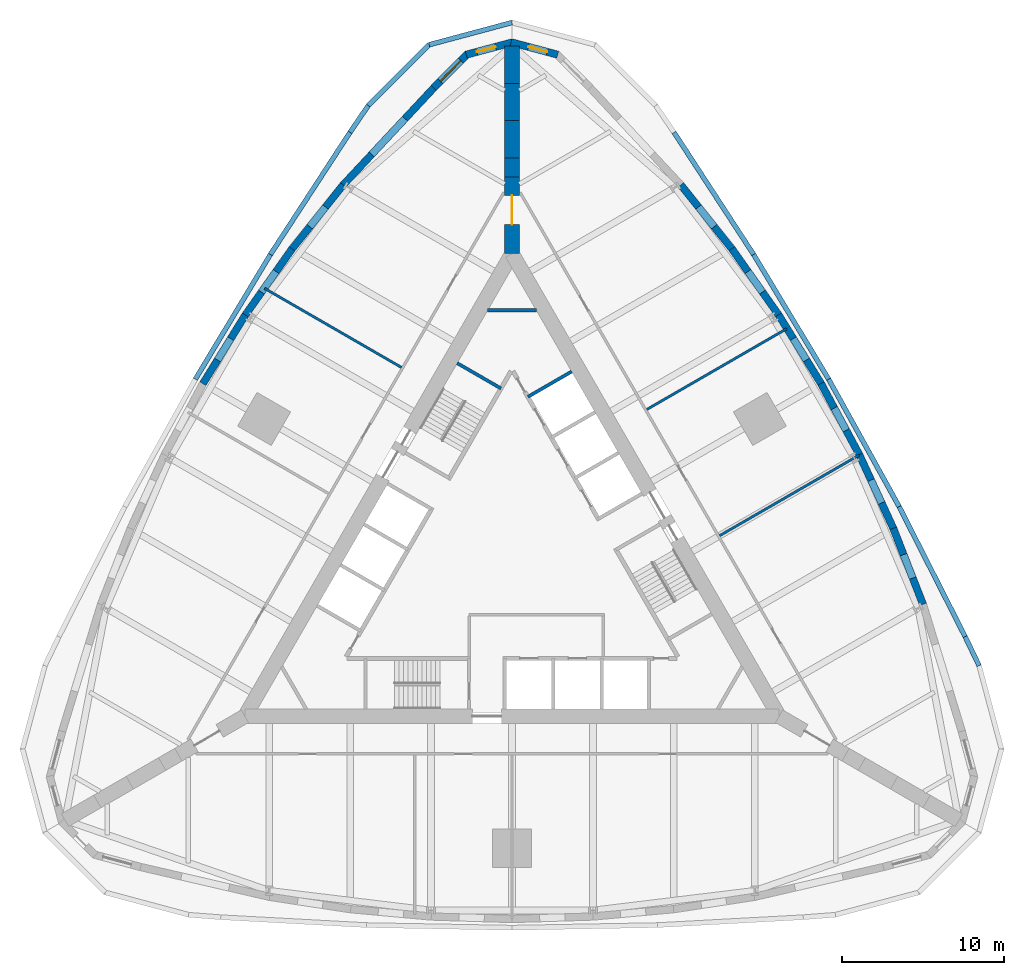
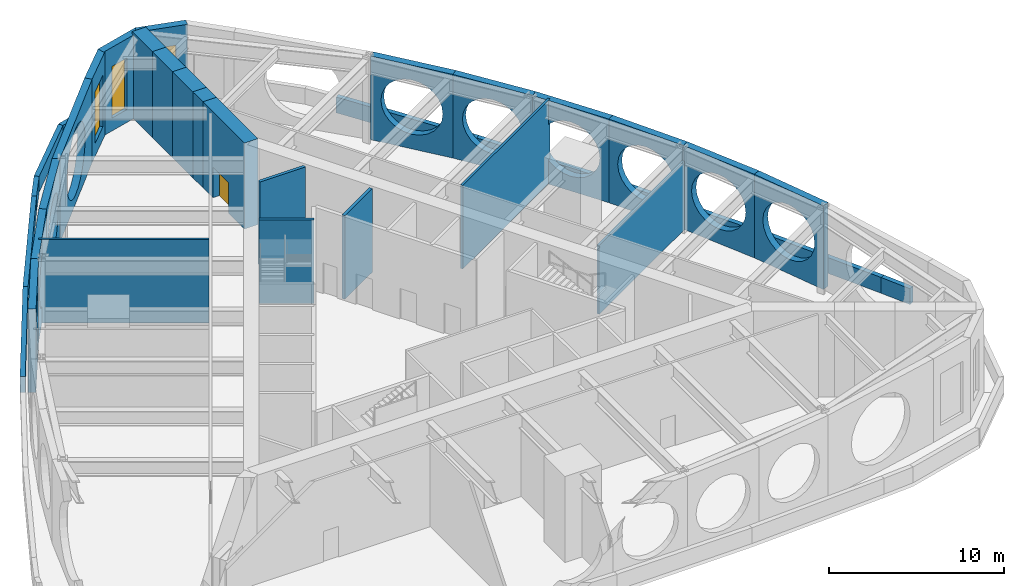
# One storey, part 6 of 8: 34 walls, 3 windows, 1 door, 4 openings.
"""IFC4 building model written with IfcOpenShell, lengths in metres."""

from ifc_helpers import new_model, si_unit, direction, frame, frame_2d, origin, place, context, subcontext, project, spatial, polyline, rectangle, outline, extrude, material, layer, layer_set, type_object, element, fill, save


model = new_model("IFC4")

# Units and contexts
model_context = context("Model", 3, precision=1e-05, world=origin(), true_north=direction((0.0, 1.0)))
body_context = subcontext(model_context, "Body", "Model", "MODEL_VIEW")
ifc_project = project(units=[si_unit("LENGTHUNIT", "METRE"), si_unit("AREAUNIT", "SQUARE_METRE"), si_unit("VOLUMEUNIT", "CUBIC_METRE"), si_unit("PLANEANGLEUNIT", "RADIAN"), si_unit("MASSUNIT", "GRAM", prefix="KILO")], contexts=[model_context])

# Site, building, storey
site_placement = place(None, origin())
site = spatial("IfcSite", under=ifc_project, at=site_placement, CompositionType="ELEMENT")
building_placement = place(site_placement, origin())
building = spatial("IfcBuilding", under=site, at=building_placement, Name="Trikona Tower", CompositionType="ELEMENT")
storey_placement = place(building_placement, frame((0.0, 0.0, 22.5)))
storey = spatial("IfcBuildingStorey", under=building, at=storey_placement, Name="L04", CompositionType="ELEMENT", Elevation=22.5)

# Wall, opening, window
ifc_material_1 = material(Name="Brick-faced precast concrete", Category="masonry")
ifc_layer_1 = layer(ifc_material_1, 0.449951171875)
ifc_layer_set_1 = layer_set([ifc_layer_1], Name="Brick-faced corner wall 450")
wall_type_1 = type_object("IfcWallType", Name="Brick-faced corner wall 450", PredefinedType="SOLIDWALL", material=ifc_layer_set_1)
wall_1_placement = place(storey_placement, frame((2.82861328125, 31.3408203125, 0.0), z_axis=(0.0, 0.0, 1.0), x_axis=(-0.965930548995, 0.258801419081, 0.0)))
wall_1 = element("IfcWall", 1, at=wall_1_placement, inside=storey, type_object=wall_type_1, Name="External wall L04-21", PredefinedType="SOLIDWALL", context=body_context, shape_type="SweptSolid", body=[
    extrude(outline(polyline([(2.988525390625, 0.22509765625), (2.92919921875, 0.22509765625), (2.4375, 0.09326171875), (2.40234375, 0.22509765625), (0.0, 0.22509765625), (0.0, -0.22509765625), (2.988525390625, -0.22509765625), (2.988525390625, 0.22509765625)])), origin(), (0.0, 0.0, 1.0), 5.8349609375),
])
opening_1_placement = place(wall_1_placement, frame((0.676025390625, 0.0, 0.89990234375)))
opening_1 = element("IfcOpeningElement", 2, at=opening_1_placement, cuts=wall_1, Name="Opening W1236", PredefinedType="OPENING", context=body_context, shape_type="SweptSolid", body=[
    extrude(rectangle(XDim=1.199951171875, YDim=3.60009765625, at=frame_2d((0.60009765625, 1.800048828125))), frame((0.0, 0.23486328125, 0.0), z_axis=(0.0, -1.0, 0.0), x_axis=(1.0, 0.0, 0.0)), (0.0, 0.0, 1.0), 0.469970703125),
])
ifc_material_2 = material(Name="Aluminium-framed double glazing", Category="aluminium")
window_type_1 = type_object("IfcWindowType", Name="Window 1200x3600", PartitioningType="SINGLE_PANEL", PredefinedType="WINDOW", material=ifc_material_2)
window_1_placement = place(opening_1_placement, origin())
window_1 = element("IfcWindow", 3, at=window_1_placement, inside=storey, type_object=window_type_1, Name="Window L04-CWP", OverallHeight=3.60009765625, OverallWidth=1.199951171875, PartitioningType="SINGLE_PANEL", PredefinedType="WINDOW", context=body_context, shape_type="SweptSolid", body=[
    extrude(rectangle(XDim=1.199951171875, YDim=3.60009765625, at=frame_2d((0.60009765625, 1.800048828125))), frame((0.0, 0.030029296875, 0.0), z_axis=(0.0, -1.0, 0.0), x_axis=(1.0, 0.0, 0.0)), (0.0, 0.0, 1.0), 0.06005859375),
])
fill(opening_1, window_1)

wall_2_placement = place(storey_placement, frame((0.05810546875, 32.1142578125, 0.0), z_axis=(0.0, 0.0, 1.0), x_axis=(-0.965930548995, -0.258801419081, 0.0)))
wall_2 = element("IfcWall", 4, at=wall_2_placement, inside=storey, type_object=wall_type_1, Name="External wall L04-22", PredefinedType="SOLIDWALL", context=body_context, shape_type="SweptSolid", body=[
    extrude(outline(polyline([(2.988525390625, 0.22509765625), (0.58642578125, 0.22509765625), (0.551025390625, 0.09326171875), (0.059326171875, 0.22509765625), (0.0, 0.22509765625), (0.0, -0.22509765625), (2.988525390625, -0.22509765625), (2.988525390625, 0.22509765625)])), origin(), (0.0, 0.0, 1.0), 5.8349609375),
])
opening_2_placement = place(wall_2_placement, frame((1.112548828125, 0.0, 0.89990234375)))
opening_2 = element("IfcOpeningElement", 5, at=opening_2_placement, cuts=wall_2, Name="Opening W1236", PredefinedType="OPENING", context=body_context, shape_type="SweptSolid", body=[
    extrude(rectangle(XDim=1.199951171875, YDim=3.60009765625, at=frame_2d((0.60009765625, 1.800048828125))), frame((0.0, 0.23486328125, 0.0), z_axis=(0.0, -1.0, 0.0), x_axis=(1.0, 0.0, 0.0)), (0.0, 0.0, 1.0), 0.469970703125),
])
window_2_placement = place(opening_2_placement, origin())
window_2 = element("IfcWindow", 6, at=window_2_placement, inside=storey, type_object=window_type_1, Name="Window L04-WTR", OverallHeight=3.60009765625, OverallWidth=1.199951171875, PartitioningType="SINGLE_PANEL", PredefinedType="WINDOW", context=body_context, shape_type="SweptSolid", body=[
    extrude(rectangle(XDim=1.199951171875, YDim=3.60009765625, at=frame_2d((0.60009765625, 1.800048828125))), frame((0.0, 0.030029296875, 0.0), z_axis=(0.0, -1.0, 0.0), x_axis=(1.0, 0.0, 0.0)), (0.0, 0.0, 1.0), 0.06005859375),
])
fill(opening_2, window_2)

wall_3_placement = place(storey_placement, frame((-2.727783203125, 31.39892578125, 0.0), z_axis=(0.0, 0.0, 1.0), x_axis=(-0.707106781187, -0.707106781187, 0.0)))
wall_3 = element("IfcWall", 7, at=wall_3_placement, inside=storey, type_object=wall_type_1, Name="External wall L04-23", PredefinedType="SOLIDWALL", context=body_context, shape_type="SweptSolid", body=[
    extrude(rectangle(XDim=2.98828125, YDim=0.449951171875, at=frame_2d((1.494140625, 0.0))), origin(), (0.0, 0.0, 1.0), 5.8349609375),
])
opening_3_placement = place(wall_3_placement, frame((0.59423828125, 0.0, 0.89990234375)))
opening_3 = element("IfcOpeningElement", 8, at=opening_3_placement, cuts=wall_3, Name="Opening W1836", PredefinedType="OPENING", context=body_context, shape_type="SweptSolid", body=[
    extrude(rectangle(XDim=1.800048828125, YDim=3.60009765625, at=frame_2d((0.89990234375, 1.800048828125))), frame((0.0, 0.23486328125, 0.0), z_axis=(0.0, -1.0, 0.0), x_axis=(1.0, 0.0, 0.0)), (0.0, 0.0, 1.0), 0.469970703125),
])
ifc_material_3 = material(Name="Aluminium-framed double glazing", Category="aluminium")
window_type_2 = type_object("IfcWindowType", Name="Window 1800x3600", PartitioningType="SINGLE_PANEL", PredefinedType="WINDOW", material=ifc_material_3)
window_3_placement = place(opening_3_placement, origin())
window_3 = element("IfcWindow", 9, at=window_3_placement, inside=storey, type_object=window_type_2, Name="Window L04-WTR", OverallHeight=3.60009765625, OverallWidth=1.800048828125, PartitioningType="SINGLE_PANEL", PredefinedType="WINDOW", context=body_context, shape_type="SweptSolid", body=[
    extrude(rectangle(XDim=1.800048828125, YDim=3.60009765625, at=frame_2d((0.89990234375, 1.800048828125))), frame((0.0, 0.030029296875, 0.0), z_axis=(0.0, -1.0, 0.0), x_axis=(1.0, 0.0, 0.0)), (0.0, 0.0, 1.0), 0.06005859375),
])
fill(opening_3, window_3)

# Walls
ifc_material_4 = material(Name="Brick-faced precast concrete with louvred openings", Category="masonry")
ifc_layer_2 = layer(ifc_material_4, 0.449951171875)
ifc_layer_set_2 = layer_set([ifc_layer_2], Name="Brick-faced plant wall 450")
wall_type_2 = type_object("IfcWallType", Name="Brick-faced plant wall 450", PredefinedType="SOLIDWALL", material=ifc_layer_set_2)
wall_4_placement = place(storey_placement, frame((25.392822265625, -2.620849609375, 0.0), z_axis=(0.0, 0.0, 1.0), x_axis=(-0.363971587738, 0.931410051116, 0.0)))
element("IfcWall", 10, at=wall_4_placement, inside=storey, type_object=wall_type_2, Name="External wall L04-13", PredefinedType="SOLIDWALL", context=body_context, shape_type="SweptSolid", body=[
    extrude(outline(polyline([(0.0, 0.0), (5.0576171875, 0.0), (5.0576171875, 5.8349609375), (0.0, 5.8349609375), (0.0, 0.0)]), holes=[polyline([(4.4287109375, 2.91748046875), (4.364013671875, 3.4091796875), (4.17431640625, 3.867431640625), (3.872314453125, 4.260986328125), (3.478759765625, 4.56298828125), (3.0205078125, 4.752685546875), (2.52880859375, 4.8173828125), (2.037109375, 4.752685546875), (1.578857421875, 4.56298828125), (1.185302734375, 4.260986328125), (0.88330078125, 3.867431640625), (0.693603515625, 3.4091796875), (0.62890625, 2.91748046875), (0.693603515625, 2.42578125), (0.88330078125, 1.967529296875), (1.185302734375, 1.573974609375), (1.578857421875, 1.272216796875), (2.037109375, 1.082275390625), (2.52880859375, 1.017578125), (3.0205078125, 1.082275390625), (3.478759765625, 1.272216796875), (3.872314453125, 1.573974609375), (4.17431640625, 1.967529296875), (4.364013671875, 2.42578125), (4.4287109375, 2.91748046875)])]), frame((0.0, 0.22509765625, 0.0), z_axis=(0.0, -1.0, 0.0), x_axis=(1.0, 0.0, 0.0)), (0.0, 0.0, 1.0), 0.449951171875),
])
wall_5_placement = place(storey_placement, frame((23.55712890625, 2.077392578125, 0.0), z_axis=(0.0, 0.0, 1.0), x_axis=(-0.419203100754, 0.907892482796, 0.0)))
element("IfcWall", 11, at=wall_5_placement, inside=storey, type_object=wall_type_2, Name="External wall L04-14", PredefinedType="SOLIDWALL", context=body_context, shape_type="SweptSolid", body=[
    extrude(outline(polyline([(0.0, 0.0), (5.020751953125, 0.0), (5.020751953125, 5.8349609375), (0.0, 5.8349609375), (0.0, 0.0)]), holes=[polyline([(4.410400390625, 2.91748046875), (4.345703125, 3.4091796875), (4.156005859375, 3.867431640625), (3.85400390625, 4.260986328125), (3.46044921875, 4.56298828125), (3.002197265625, 4.752685546875), (2.510498046875, 4.8173828125), (2.018798828125, 4.752685546875), (1.560302734375, 4.56298828125), (1.1669921875, 4.260986328125), (0.864990234375, 3.867431640625), (0.67529296875, 3.4091796875), (0.6103515625, 2.91748046875), (0.67529296875, 2.42578125), (0.864990234375, 1.967529296875), (1.1669921875, 1.573974609375), (1.560302734375, 1.272216796875), (2.018798828125, 1.082275390625), (2.510498046875, 1.017578125), (3.002197265625, 1.082275390625), (3.46044921875, 1.272216796875), (3.85400390625, 1.573974609375), (4.156005859375, 1.967529296875), (4.345703125, 2.42578125), (4.410400390625, 2.91748046875)])]), frame((0.0, 0.22509765625, 0.0), z_axis=(0.0, -1.0, 0.0), x_axis=(1.0, 0.0, 0.0)), (0.0, 0.0, 1.0), 0.449951171875),
])
wall_6_placement = place(storey_placement, frame((21.45849609375, 6.62353515625, 0.0), z_axis=(0.0, 0.0, 1.0), x_axis=(-0.473412820489, 0.880840678782, 0.0)))
element("IfcWall", 12, at=wall_6_placement, inside=storey, type_object=wall_type_2, Name="External wall L04-15", PredefinedType="SOLIDWALL", context=body_context, shape_type="SweptSolid", body=[
    extrude(outline(polyline([(0.0, 0.0), (5.00244140625, 0.0), (5.00244140625, 5.8349609375), (0.0, 5.8349609375), (0.0, 0.0)]), holes=[polyline([(4.401123046875, 2.91748046875), (4.33642578125, 3.4091796875), (4.146484375, 3.867431640625), (3.8447265625, 4.260986328125), (3.451171875, 4.56298828125), (2.992919921875, 4.752685546875), (2.501220703125, 4.8173828125), (2.009521484375, 4.752685546875), (1.551025390625, 4.56298828125), (1.15771484375, 4.260986328125), (0.855712890625, 3.867431640625), (0.666015625, 3.4091796875), (0.60107421875, 2.91748046875), (0.666015625, 2.42578125), (0.855712890625, 1.967529296875), (1.15771484375, 1.573974609375), (1.551025390625, 1.272216796875), (2.009521484375, 1.082275390625), (2.501220703125, 1.017578125), (2.992919921875, 1.082275390625), (3.451171875, 1.272216796875), (3.8447265625, 1.573974609375), (4.146484375, 1.967529296875), (4.33642578125, 2.42578125), (4.401123046875, 2.91748046875)])]), frame((0.0, 0.22509765625, 0.0), z_axis=(0.0, -1.0, 0.0), x_axis=(1.0, 0.0, 0.0)), (0.0, 0.0, 1.0), 0.449951171875),
])
wall_7_placement = place(storey_placement, frame((19.097412109375, 11.017822265625, 0.0), z_axis=(0.0, 0.0, 1.0), x_axis=(-0.52611097126, 0.850415925251, 0.0)))
element("IfcWall", 13, at=wall_7_placement, inside=storey, type_object=wall_type_2, Name="External wall L04-16", PredefinedType="SOLIDWALL", context=body_context, shape_type="SweptSolid", body=[
    extrude(outline(polyline([(0.0, 0.0), (5.00244140625, 0.0), (5.00244140625, 5.8349609375), (0.0, 5.8349609375), (0.0, 0.0)]), holes=[polyline([(4.401123046875, 2.91748046875), (4.33642578125, 3.4091796875), (4.146484375, 3.867431640625), (3.844482421875, 4.260986328125), (3.451171875, 4.56298828125), (2.992919921875, 4.752685546875), (2.501220703125, 4.8173828125), (2.009521484375, 4.752685546875), (1.551025390625, 4.56298828125), (1.15771484375, 4.260986328125), (0.855712890625, 3.867431640625), (0.666015625, 3.4091796875), (0.60107421875, 2.91748046875), (0.666015625, 2.42578125), (0.855712890625, 1.967529296875), (1.15771484375, 1.573974609375), (1.551025390625, 1.272216796875), (2.009521484375, 1.082275390625), (2.501220703125, 1.017578125), (2.992919921875, 1.082275390625), (3.451171875, 1.272216796875), (3.844482421875, 1.573974609375), (4.146484375, 1.967529296875), (4.33642578125, 2.42578125), (4.401123046875, 2.91748046875)])]), frame((0.0, 0.22509765625, 0.0), z_axis=(0.0, -1.0, 0.0), x_axis=(1.0, 0.0, 0.0)), (0.0, 0.0, 1.0), 0.449951171875),
])
wall_8_placement = place(storey_placement, frame((16.472900390625, 15.260498046875, 0.0), z_axis=(0.0, 0.0, 1.0), x_axis=(-0.5766431066, 0.81699616132, 0.0)))
element("IfcWall", 14, at=wall_8_placement, inside=storey, type_object=wall_type_2, Name="External wall L04-17", PredefinedType="SOLIDWALL", context=body_context, shape_type="SweptSolid", body=[
    extrude(outline(polyline([(0.0, 0.0), (5.02099609375, 0.0), (5.02099609375, 5.8349609375), (0.0, 5.8349609375), (0.0, 0.0)]), holes=[polyline([(4.410400390625, 2.91748046875), (4.345703125, 3.4091796875), (4.15576171875, 3.867431640625), (3.85400390625, 4.260986328125), (3.46044921875, 4.56298828125), (3.002197265625, 4.752685546875), (2.510498046875, 4.8173828125), (2.0185546875, 4.752685546875), (1.560302734375, 4.56298828125), (1.1669921875, 4.260986328125), (0.864990234375, 3.867431640625), (0.675048828125, 3.4091796875), (0.6103515625, 2.91748046875), (0.675048828125, 2.42578125), (0.864990234375, 1.967529296875), (1.1669921875, 1.573974609375), (1.560302734375, 1.272216796875), (2.0185546875, 1.082275390625), (2.510498046875, 1.017578125), (3.002197265625, 1.082275390625), (3.46044921875, 1.272216796875), (3.85400390625, 1.573974609375), (4.15576171875, 1.967529296875), (4.345703125, 2.42578125), (4.410400390625, 2.91748046875)])]), frame((0.0, 0.22509765625, 0.0), z_axis=(0.0, -1.0, 0.0), x_axis=(1.0, 0.0, 0.0)), (0.0, 0.0, 1.0), 0.449951171875),
])
wall_9_placement = place(storey_placement, frame((13.585693359375, 19.351806640625, 0.0), z_axis=(0.0, 0.0, 1.0), x_axis=(-0.624594965756, 0.780948864364, 0.0)))
element("IfcWall", 15, at=wall_9_placement, inside=storey, type_object=wall_type_2, Name="External wall L04-18", PredefinedType="SOLIDWALL", context=body_context, shape_type="SweptSolid", body=[
    extrude(outline(polyline([(0.0, 0.0), (5.0576171875, 0.0), (5.0576171875, 5.8349609375), (0.0, 5.8349609375), (0.0, 0.0)]), holes=[polyline([(4.4287109375, 2.91748046875), (4.364013671875, 3.4091796875), (4.17431640625, 3.867431640625), (3.872314453125, 4.260986328125), (3.478759765625, 4.56298828125), (3.0205078125, 4.752685546875), (2.52880859375, 4.8173828125), (2.037109375, 4.752685546875), (1.578857421875, 4.56298828125), (1.185302734375, 4.260986328125), (0.88330078125, 3.867431640625), (0.693603515625, 3.4091796875), (0.62890625, 2.91748046875), (0.693603515625, 2.42578125), (0.88330078125, 1.967529296875), (1.185302734375, 1.573974609375), (1.578857421875, 1.272216796875), (2.037109375, 1.082275390625), (2.52880859375, 1.017578125), (3.0205078125, 1.082275390625), (3.478759765625, 1.272216796875), (3.872314453125, 1.573974609375), (4.17431640625, 1.967529296875), (4.364013671875, 2.42578125), (4.4287109375, 2.91748046875)])]), frame((0.0, 0.22509765625, 0.0), z_axis=(0.0, -1.0, 0.0), x_axis=(1.0, 0.0, 0.0)), (0.0, 0.0, 1.0), 0.449951171875),
])
wall_10_placement = place(storey_placement, frame((-4.83544921875, 29.29150390625, 0.0), z_axis=(0.0, 0.0, 1.0), x_axis=(-0.682290707137, -0.73108097428, 0.0)))
element("IfcWall", 16, at=wall_10_placement, inside=storey, type_object=wall_type_2, Name="External wall L04-24", PredefinedType="SOLIDWALL", context=body_context, shape_type="SweptSolid", body=[
    extrude(outline(polyline([(0.0, 0.0), (8.21142578125, 0.0), (8.21142578125, 5.8349609375), (0.0, 5.8349609375), (0.0, 0.0)]), holes=[polyline([(6.405517578125, 2.91748046875), (6.3271484375, 3.5126953125), (6.097412109375, 4.0673828125), (5.73193359375, 4.543701171875), (5.255615234375, 4.909423828125), (4.700927734375, 5.13916015625), (4.105712890625, 5.217529296875), (3.51025390625, 5.13916015625), (2.95556640625, 4.909423828125), (2.479248046875, 4.543701171875), (2.11376953125, 4.0673828125), (1.884033203125, 3.5126953125), (1.8056640625, 2.91748046875), (1.884033203125, 2.322265625), (2.11376953125, 1.767578125), (2.479248046875, 1.291259765625), (2.95556640625, 0.925537109375), (3.51025390625, 0.69580078125), (4.105712890625, 0.617431640625), (4.700927734375, 0.69580078125), (5.255615234375, 0.925537109375), (5.73193359375, 1.291259765625), (6.097412109375, 1.767578125), (6.3271484375, 2.322265625), (6.405517578125, 2.91748046875)])]), frame((0.0, 0.22509765625, 0.0), z_axis=(0.0, -1.0, 0.0), x_axis=(1.0, 0.0, 0.0)), (0.0, 0.0, 1.0), 0.449951171875),
])
wall_11_placement = place(storey_placement, frame((-10.4267578125, 23.301513671875, 0.0), z_axis=(0.0, 0.0, 1.0), x_axis=(-0.624594965756, -0.780948864364, 0.0)))
element("IfcWall", 17, at=wall_11_placement, inside=storey, type_object=wall_type_2, Name="External wall L04-25", PredefinedType="SOLIDWALL", context=body_context, shape_type="SweptSolid", body=[
    extrude(outline(polyline([(0.0, 0.0), (5.0576171875, 0.0), (5.0576171875, 5.8349609375), (0.0, 5.8349609375), (0.0, 0.0)]), holes=[polyline([(4.4287109375, 2.91748046875), (4.364013671875, 3.4091796875), (4.17431640625, 3.867431640625), (3.872314453125, 4.260986328125), (3.478759765625, 4.56298828125), (3.0205078125, 4.752685546875), (2.52880859375, 4.8173828125), (2.037109375, 4.752685546875), (1.578857421875, 4.56298828125), (1.185302734375, 4.260986328125), (0.88330078125, 3.867431640625), (0.693603515625, 3.4091796875), (0.62890625, 2.91748046875), (0.693603515625, 2.42578125), (0.88330078125, 1.967529296875), (1.185302734375, 1.573974609375), (1.578857421875, 1.272216796875), (2.037109375, 1.082275390625), (2.52880859375, 1.017578125), (3.0205078125, 1.082275390625), (3.478759765625, 1.272216796875), (3.872314453125, 1.573974609375), (4.17431640625, 1.967529296875), (4.364013671875, 2.42578125), (4.4287109375, 2.91748046875)])]), frame((0.0, 0.22509765625, 0.0), z_axis=(0.0, -1.0, 0.0), x_axis=(1.0, 0.0, 0.0)), (0.0, 0.0, 1.0), 0.449951171875),
])
wall_12_placement = place(storey_placement, frame((-13.57763671875, 19.362548828125, 0.0), z_axis=(0.0, 0.0, 1.0), x_axis=(-0.5766431066, -0.81699616132, 0.0)))
element("IfcWall", 18, at=wall_12_placement, inside=storey, type_object=wall_type_2, Name="External wall L04-26", PredefinedType="SOLIDWALL", context=body_context, shape_type="SweptSolid", body=[
    extrude(outline(polyline([(0.0, 0.0), (5.02099609375, 0.0), (5.02099609375, 5.8349609375), (0.0, 5.8349609375), (0.0, 0.0)]), holes=[polyline([(4.410400390625, 2.91748046875), (4.345703125, 3.4091796875), (4.15576171875, 3.867431640625), (3.85400390625, 4.260986328125), (3.46044921875, 4.56298828125), (3.002197265625, 4.752685546875), (2.510498046875, 4.8173828125), (2.0185546875, 4.752685546875), (1.560302734375, 4.56298828125), (1.1669921875, 4.260986328125), (0.864990234375, 3.867431640625), (0.675048828125, 3.4091796875), (0.6103515625, 2.91748046875), (0.675048828125, 2.42578125), (0.864990234375, 1.967529296875), (1.1669921875, 1.573974609375), (1.560302734375, 1.272216796875), (2.0185546875, 1.082275390625), (2.510498046875, 1.017578125), (3.002197265625, 1.082275390625), (3.46044921875, 1.272216796875), (3.85400390625, 1.573974609375), (4.15576171875, 1.967529296875), (4.345703125, 2.42578125), (4.410400390625, 2.91748046875)])]), frame((0.0, 0.22509765625, 0.0), z_axis=(0.0, -1.0, 0.0), x_axis=(1.0, 0.0, 0.0)), (0.0, 0.0, 1.0), 0.449951171875),
])
wall_13_placement = place(storey_placement, frame((-16.465576171875, 15.27197265625, 0.0), z_axis=(0.0, 0.0, 1.0), x_axis=(-0.52611097126, -0.850415925251, 0.0)))
element("IfcWall", 19, at=wall_13_placement, inside=storey, type_object=wall_type_2, Name="External wall L04-27", PredefinedType="SOLIDWALL", context=body_context, shape_type="SweptSolid", body=[
    extrude(outline(polyline([(0.0, 0.0), (5.00244140625, 0.0), (5.00244140625, 5.8349609375), (0.0, 5.8349609375), (0.0, 0.0)]), holes=[polyline([(4.401123046875, 2.91748046875), (4.33642578125, 3.4091796875), (4.146484375, 3.867431640625), (3.844482421875, 4.260986328125), (3.451171875, 4.56298828125), (2.992919921875, 4.752685546875), (2.501220703125, 4.8173828125), (2.009521484375, 4.752685546875), (1.551025390625, 4.56298828125), (1.15771484375, 4.260986328125), (0.855712890625, 3.867431640625), (0.666015625, 3.4091796875), (0.60107421875, 2.91748046875), (0.666015625, 2.42578125), (0.855712890625, 1.967529296875), (1.15771484375, 1.573974609375), (1.551025390625, 1.272216796875), (2.009521484375, 1.082275390625), (2.501220703125, 1.017578125), (2.992919921875, 1.082275390625), (3.451171875, 1.272216796875), (3.844482421875, 1.573974609375), (4.146484375, 1.967529296875), (4.33642578125, 2.42578125), (4.401123046875, 2.91748046875)])]), frame((0.0, 0.22509765625, 0.0), z_axis=(0.0, -1.0, 0.0), x_axis=(1.0, 0.0, 0.0)), (0.0, 0.0, 1.0), 0.449951171875),
])

# Wall, opening, door
ifc_material_5 = material(Name="Concrete f'c 10000 psi", Category="concrete")
ifc_layer_3 = layer(ifc_material_5, 0.89990234375)
ifc_layer_set_3 = layer_set([ifc_layer_3], Name="Buttress wall 900")
wall_type_3 = type_object("IfcWallType", Name="Buttress wall 900", PredefinedType="SHEAR", material=ifc_layer_set_3)
wall_14_placement = place(storey_placement, frame((0.0, 19.052490234375, 0.0), z_axis=(0.0, 0.0, 1.0), x_axis=(0.0, 1.0, 0.0)))
wall_14 = element("IfcWall", 20, at=wall_14_placement, inside=storey, type_object=wall_type_3, Name="Buttress wall 2", PredefinedType="SHEAR", context=body_context, shape_type="SweptSolid", body=[
    extrude(rectangle(XDim=4.74609375, YDim=0.89990234375, at=frame_2d((2.373046875, 0.0))), origin(), (0.0, 0.0, 1.0), 6.0),
])
opening_4_placement = place(wall_14_placement, frame((1.800048828125, 0.0, 0.0)))
opening_4 = element("IfcOpeningElement", 21, at=opening_4_placement, cuts=wall_14, Name="Opening D10", PredefinedType="OPENING", context=body_context, shape_type="SweptSolid", body=[
    extrude(rectangle(XDim=1.800048828125, YDim=2.1298828125, at=frame_2d((0.89990234375, 1.06494140625))), frame((0.0, 0.4599609375, 0.0), z_axis=(0.0, -1.0, 0.0), x_axis=(1.0, 0.0, 0.0)), (0.0, 0.0, 1.0), 0.919921875),
])
ifc_material_6 = material(Name="Hollow metal door and frame", Category="steel")
door_type = type_object("IfcDoorType", Name="Cross-corridor door pair 1800x2130", OperationType="DOUBLE_DOOR_DOUBLE_SWING", PredefinedType="DOOR", material=ifc_material_6)
door_placement = place(opening_4_placement, origin())
door = element("IfcDoor", 22, at=door_placement, inside=storey, type_object=door_type, Name="Cross-corridor door 2", OperationType="DOUBLE_DOOR_DOUBLE_SWING", OverallHeight=2.1298828125, OverallWidth=1.800048828125, PredefinedType="DOOR", context=body_context, shape_type="SweptSolid", body=[
    extrude(rectangle(XDim=1.800048828125, YDim=2.1298828125, at=frame_2d((0.89990234375, 1.06494140625))), frame((0.0, 0.02490234375, 0.0), z_axis=(0.0, -1.0, 0.0), x_axis=(1.0, 0.0, 0.0)), (0.0, 0.0, 1.0), 0.050048828125),
])
fill(opening_4, door)

# Walls
wall_15_placement = place(storey_placement, frame((0.0, 23.798583984375, 0.0), z_axis=(0.0, 0.0, 1.0), x_axis=(0.0, 1.0, 0.0)))
element("IfcWall", 23, at=wall_15_placement, inside=storey, type_object=wall_type_3, Name="Buttress wall 2 part 2", PredefinedType="SHEAR", context=body_context, shape_type="SweptSolid", body=[
    extrude(rectangle(XDim=1.15478515625, YDim=0.89990234375, at=frame_2d((0.577392578125, 0.0))), origin(), (0.0, 0.0, 1.0), 6.0),
])
wall_16_placement = place(storey_placement, frame((0.0, 24.953369140625, 0.0), z_axis=(0.0, 0.0, 1.0), x_axis=(0.0, 1.0, 0.0)))
element("IfcWall", 24, at=wall_16_placement, inside=storey, type_object=wall_type_3, Name="Buttress wall 2 part 3", PredefinedType="SHEAR", context=body_context, shape_type="SweptSolid", body=[
    extrude(rectangle(XDim=2.309326171875, YDim=0.89990234375, at=frame_2d((1.15478515625, 0.0))), origin(), (0.0, 0.0, 1.0), 6.0),
])
wall_17_placement = place(storey_placement, frame((0.0, 27.2626953125, 0.0), z_axis=(0.0, 0.0, 1.0), x_axis=(0.0, 1.0, 0.0)))
element("IfcWall", 25, at=wall_17_placement, inside=storey, type_object=wall_type_3, Name="Buttress wall 2 part 4", PredefinedType="SHEAR", context=body_context, shape_type="SweptSolid", body=[
    extrude(rectangle(XDim=2.3095703125, YDim=0.89990234375, at=frame_2d((1.15478515625, 0.0))), origin(), (0.0, 0.0, 1.0), 6.0),
])
wall_18_placement = place(storey_placement, frame((0.0, 29.572265625, 0.0), z_axis=(0.0, 0.0, 1.0), x_axis=(0.0, 1.0, 0.0)))
element("IfcWall", 26, at=wall_18_placement, inside=storey, type_object=wall_type_3, Name="Buttress wall 2 part 5", PredefinedType="SHEAR", context=body_context, shape_type="SweptSolid", body=[
    extrude(rectangle(XDim=2.309326171875, YDim=0.89990234375, at=frame_2d((1.15478515625, 0.0))), origin(), (0.0, 0.0, 1.0), 6.0),
])
ifc_material_7 = material(Name="Brick-faced precast concrete", Category="masonry")
ifc_layer_4 = layer(ifc_material_7, 0.300048828125)
ifc_layer_set_4 = layer_set([ifc_layer_4], Name="Parapet wall 300")
wall_type_4 = type_object("IfcWallType", Name="Parapet wall 300", PredefinedType="PARAPET", material=ifc_layer_set_4)
wall_19_placement = place(storey_placement, frame((-19.56298828125, 11.294677734375, 0.0), z_axis=(0.0, 0.0, 1.0), x_axis=(0.515513067343, 0.856881717274, 0.0)))
element("IfcWall", 27, at=wall_19_placement, inside=storey, type_object=wall_type_4, Name="Parapet L04-07", PredefinedType="PARAPET", context=body_context, shape_type="SweptSolid", body=[
    extrude(rectangle(XDim=8.996337890625, YDim=0.300048828125, at=frame_2d((4.498046875, 0.0))), origin(), (0.0, 0.0, 1.0), 1.10009765625),
])
wall_20_placement = place(storey_placement, frame((-14.92529296875, 19.00341796875, 0.0), z_axis=(0.0, 0.0, 1.0), x_axis=(0.545976753286, 0.83780032518, 0.0)))
element("IfcWall", 28, at=wall_20_placement, inside=storey, type_object=wall_type_4, Name="Parapet L04-08", PredefinedType="PARAPET", context=body_context, shape_type="SweptSolid", body=[
    extrude(rectangle(XDim=9.008544921875, YDim=0.300048828125, at=frame_2d((4.50439453125, 0.0))), origin(), (0.0, 0.0, 1.0), 1.10009765625),
])
wall_21_placement = place(storey_placement, frame((-10.0068359375, 26.55078125, 0.0), z_axis=(0.0, 0.0, 1.0), x_axis=(0.564147300062, 0.825674163235, 0.0)))
element("IfcWall", 29, at=wall_21_placement, inside=storey, type_object=wall_type_4, Name="Parapet L04-09", PredefinedType="PARAPET", context=body_context, shape_type="SweptSolid", body=[
    extrude(rectangle(XDim=1.990234375, YDim=0.300048828125, at=frame_2d((0.9951171875, 0.0))), origin(), (0.0, 0.0, 1.0), 1.10009765625),
])
wall_22_placement = place(storey_placement, frame((-8.884033203125, 28.194091796875, 0.0), z_axis=(0.0, 0.0, 1.0), x_axis=(0.707106781187, 0.707106781187, 0.0)))
element("IfcWall", 30, at=wall_22_placement, inside=storey, type_object=wall_type_4, Name="Parapet L04-10", PredefinedType="PARAPET", context=body_context, shape_type="SweptSolid", body=[
    extrude(rectangle(XDim=5.324951171875, YDim=0.300048828125, at=frame_2d((2.66259765625, 0.0))), origin(), (0.0, 0.0, 1.0), 1.10009765625),
])
wall_23_placement = place(storey_placement, frame((-5.11865234375, 31.95947265625, 0.0), z_axis=(0.0, 0.0, 1.0), x_axis=(0.965923784953, 0.258826663353, 0.0)))
element("IfcWall", 31, at=wall_23_placement, inside=storey, type_object=wall_type_4, Name="Parapet L04-11", PredefinedType="PARAPET", context=body_context, shape_type="SweptSolid", body=[
    extrude(rectangle(XDim=5.29931640625, YDim=0.300048828125, at=frame_2d((2.649658203125, 0.0))), origin(), (0.0, 0.0, 1.0), 1.10009765625),
])
wall_24_placement = place(storey_placement, frame((10.0068359375, 26.55078125, 0.0), z_axis=(0.0, 0.0, 1.0), x_axis=(0.545976753286, -0.83780032518, 0.0)))
element("IfcWall", 32, at=wall_24_placement, inside=storey, type_object=wall_type_4, Name="Parapet L04-15", PredefinedType="PARAPET", context=body_context, shape_type="SweptSolid", body=[
    extrude(rectangle(XDim=9.008544921875, YDim=0.300048828125, at=frame_2d((4.50439453125, 0.0))), origin(), (0.0, 0.0, 1.0), 1.10009765625),
])
wall_25_placement = place(storey_placement, frame((14.92529296875, 19.00341796875, 0.0), z_axis=(0.0, 0.0, 1.0), x_axis=(0.515513067343, -0.856881717274, 0.0)))
element("IfcWall", 33, at=wall_25_placement, inside=storey, type_object=wall_type_4, Name="Parapet L04-16", PredefinedType="PARAPET", context=body_context, shape_type="SweptSolid", body=[
    extrude(rectangle(XDim=8.996337890625, YDim=0.300048828125, at=frame_2d((4.498046875, 0.0))), origin(), (0.0, 0.0, 1.0), 1.10009765625),
])
wall_26_placement = place(storey_placement, frame((19.56298828125, 11.294677734375, 0.0), z_axis=(0.0, 0.0, 1.0), x_axis=(0.484315141127, -0.874893618719, 0.0)))
element("IfcWall", 34, at=wall_26_placement, inside=storey, type_object=wall_type_4, Name="Parapet L04-17", PredefinedType="PARAPET", context=body_context, shape_type="SweptSolid", body=[
    extrude(rectangle(XDim=8.99609375, YDim=0.300048828125, at=frame_2d((4.498046875, 0.0))), origin(), (0.0, 0.0, 1.0), 1.10009765625),
])
wall_27_placement = place(storey_placement, frame((23.919921875, 3.424072265625, 0.0), z_axis=(0.0, 0.0, 1.0), x_axis=(0.452582301023, -0.891722636699, 0.0)))
element("IfcWall", 35, at=wall_27_placement, inside=storey, type_object=wall_type_4, Name="Parapet L04-18", PredefinedType="PARAPET", context=body_context, shape_type="SweptSolid", body=[
    extrude(rectangle(XDim=9.008544921875, YDim=0.300048828125, at=frame_2d((4.50439453125, 0.0))), origin(), (0.0, 0.0, 1.0), 1.10009765625),
])
wall_28_placement = place(storey_placement, frame((27.9970703125, -4.609130859375, 0.0), z_axis=(0.0, 0.0, 1.0), x_axis=(0.432878608611, -0.90145222292, 0.0)))
element("IfcWall", 36, at=wall_28_placement, inside=storey, type_object=wall_type_4, Name="Parapet L04-19", PredefinedType="PARAPET", context=body_context, shape_type="SweptSolid", body=[
    extrude(rectangle(XDim=1.990234375, YDim=0.300048828125, at=frame_2d((0.9951171875, 0.0))), origin(), (0.0, 0.0, 1.0), 1.10009765625),
])
ifc_material_8 = material(Name="Metal stud and gypsum board, 1-hour acoustic", Category="gypsum")
ifc_layer_5 = layer(ifc_material_8, 0.14990234375)
ifc_layer_set_5 = layer_set([ifc_layer_5], Name="Party wall 150")
wall_type_5 = type_object("IfcWallType", Name="Party wall 150", PredefinedType="PARTITIONING", material=ifc_layer_set_5)
wall_29_placement = place(storey_placement, frame((12.82861328125, 1.633056640625, 0.0), z_axis=(0.0, 0.0, 1.0), x_axis=(0.866026934769, 0.499997348248, 0.0)))
element("IfcWall", 37, at=wall_29_placement, inside=storey, type_object=wall_type_5, Name="Partition L04 F2 u-5", PredefinedType="PARTITIONING", context=body_context, shape_type="SweptSolid", body=[
    extrude(rectangle(XDim=9.94287109375, YDim=0.14990234375, at=frame_2d((4.971435546875, 0.0))), origin(), (0.0, 0.0, 1.0), 4.793701171875),
])
wall_30_placement = place(storey_placement, frame((8.32861328125, 9.42724609375, 0.0), z_axis=(0.0, 0.0, 1.0), x_axis=(0.866027840197, 0.499995779986, 0.0)))
element("IfcWall", 38, at=wall_30_placement, inside=storey, type_object=wall_type_5, Name="Partition L04 F2 u4", PredefinedType="PARTITIONING", context=body_context, shape_type="SweptSolid", body=[
    extrude(rectangle(XDim=9.97412109375, YDim=0.14990234375, at=frame_2d((4.987060546875, 0.0))), origin(), (0.0, 0.0, 1.0), 5.8349609375),
])
wall_31_placement = place(storey_placement, frame((-6.82861328125, 12.025390625, 0.0), z_axis=(0.0, 0.0, 1.0), x_axis=(-0.866025631456, 0.499999605661, 0.0)))
element("IfcWall", 39, at=wall_31_placement, inside=storey, type_object=wall_type_5, Name="Partition L04 F3 u-7", PredefinedType="PARTITIONING", context=body_context, shape_type="SweptSolid", body=[
    extrude(rectangle(XDim=9.76025390625, YDim=0.14990234375, at=frame_2d((4.880126953125, 0.0))), origin(), (0.0, 0.0, 1.0), 5.8349609375),
])
ifc_material_9 = material(Name="Concrete f'c 8000 psi", Category="concrete")
ifc_layer_6 = layer(ifc_material_9, 0.199951171875)
ifc_layer_set_6 = layer_set([ifc_layer_6], Name="Shaft wall 200")
wall_type_6 = type_object("IfcWallType", Name="Shaft wall 200", PredefinedType="SOLIDWALL", material=ifc_layer_set_6)
wall_32_placement = place(storey_placement, frame((0.97900390625, 10.20703125, 0.0), z_axis=(0.0, 0.0, 1.0), x_axis=(0.866022959057, 0.500004234368, 0.0)))
element("IfcWall", 40, at=wall_32_placement, inside=storey, type_object=wall_type_6, Name="Shaft wall B6", PredefinedType="SOLIDWALL", context=body_context, shape_type="SweptSolid", body=[
    extrude(rectangle(XDim=3.125, YDim=0.199951171875, at=frame_2d((1.5625, 0.0))), origin(), (0.0, 0.0, 1.0), 5.8349609375),
])
wall_33_placement = place(storey_placement, frame((-1.501220703125, 15.552490234375, 0.0), z_axis=(0.0, 0.0, 1.0), x_axis=(1.0, 0.0, 0.0)))
element("IfcWall", 41, at=wall_33_placement, inside=storey, type_object=wall_type_6, Name="Riser wall L04-RS2", PredefinedType="SOLIDWALL", context=body_context, shape_type="SweptSolid", body=[
    extrude(rectangle(XDim=3.00244140625, YDim=0.199951171875, at=frame_2d((1.501220703125, 0.0))), origin(), (0.0, 0.0, 1.0), 5.8349609375),
])
ifc_material_10 = material(Name="Concrete f'c 8000 psi", Category="concrete")
ifc_layer_7 = layer(ifc_material_10, 0.199951171875)
ifc_layer_set_7 = layer_set([ifc_layer_7], Name="Shaft wall 200 load-bearing")
wall_type_7 = type_object("IfcWallType", Name="Shaft wall 200 load-bearing", PredefinedType="SOLIDWALL", material=ifc_layer_set_7)
wall_34_placement = place(storey_placement, frame((-0.678955078125, 10.7265625, 0.0), z_axis=(0.0, 0.0, 1.0), x_axis=(-0.866022959057, 0.500004234368, 0.0)))
element("IfcWall", 42, at=wall_34_placement, inside=storey, type_object=wall_type_7, Name="Shaft wall C1", PredefinedType="SOLIDWALL", context=body_context, shape_type="SweptSolid", body=[
    extrude(rectangle(XDim=3.125, YDim=0.199951171875, at=frame_2d((1.5625, 0.0))), origin(), (0.0, 0.0, 1.0), 5.8349609375),
])

save(model, "model.ifc")
